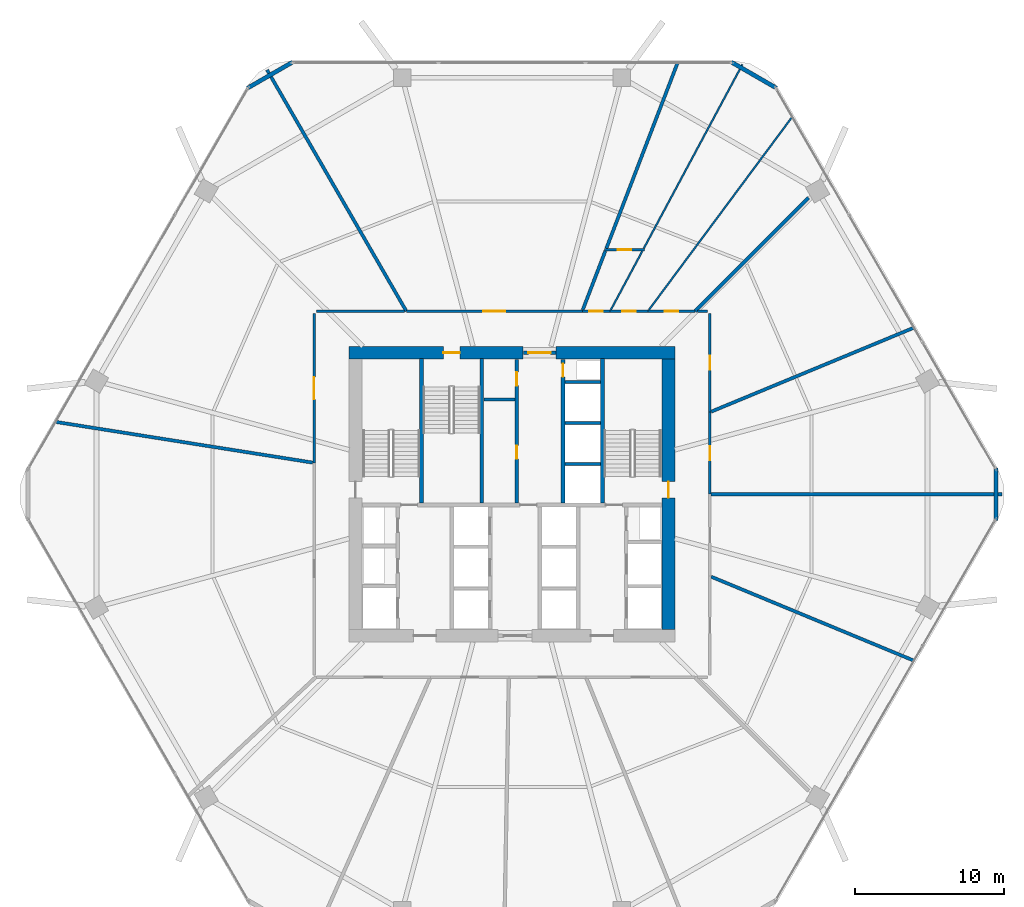
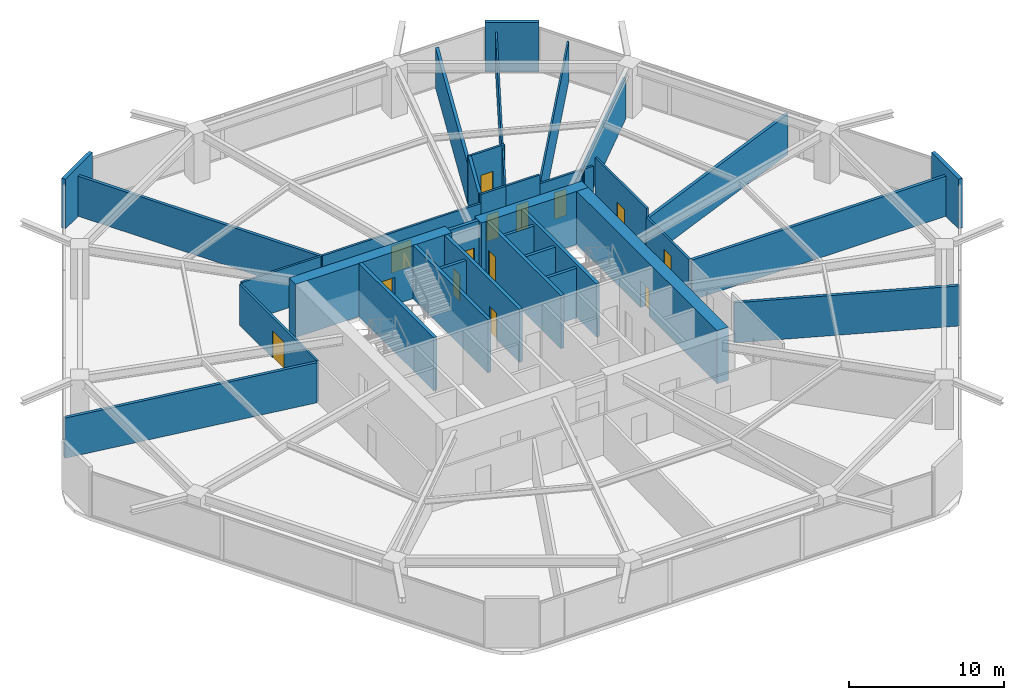
# One storey, part 23 of 25: 37 walls, 14 doors, 14 openings.
"""IFC4 building model written with IfcOpenShell, lengths in metres."""

from ifc_helpers import new_model, si_unit, direction, frame, frame_2d, origin, place, context, subcontext, project, spatial, rectangle, extrude, material, layer, layer_set, type_object, element, fill, save


model = new_model("IFC4")

# Units and contexts
model_context = context("Model", 3, precision=1e-05, world=origin(), true_north=direction((0.0, 1.0)))
body_context = subcontext(model_context, "Body", "Model", "MODEL_VIEW")
ifc_project = project(units=[si_unit("LENGTHUNIT", "METRE"), si_unit("AREAUNIT", "SQUARE_METRE"), si_unit("VOLUMEUNIT", "CUBIC_METRE"), si_unit("PLANEANGLEUNIT", "RADIAN"), si_unit("MASSUNIT", "GRAM", prefix="KILO")], contexts=[model_context])

# Site, building, storey
site_placement = place(None, origin())
site = spatial("IfcSite", under=ifc_project, at=site_placement, CompositionType="ELEMENT")
building_placement = place(site_placement, origin())
building = spatial("IfcBuilding", under=site, at=building_placement, Name="Zuhravey Tower", CompositionType="ELEMENT")
storey_placement = place(building_placement, frame((0.0, 0.0, 70.800048828125)))
storey = spatial("IfcBuildingStorey", under=building, at=storey_placement, Name="L17", CompositionType="ELEMENT", Elevation=70.800048828125)

# Wall
ifc_material_1 = material(Name="Concrete C60/75", Category="concrete")
ifc_layer_1 = layer(ifc_material_1, 0.85009765625)
ifc_layer_set_1 = layer_set([ifc_layer_1], Name="Concrete C60/75")
wall_type_1 = type_object("IfcWallType", Name="Core Shear Wall 850", PredefinedType="SHEAR", material=ifc_layer_set_1)
wall_1_placement = place(storey_placement, frame((46.925048828125, 41.5, 0.0), z_axis=(0.0, 0.0, 1.0), x_axis=(-1.0, 0.0, 0.0)))
element("IfcWall", 1, at=wall_1_placement, inside=storey, type_object=wall_type_1, Name="L17 North-East Core Shear Wall CW85", PredefinedType="SHEAR", context=body_context, shape_type="SweptSolid", body=[
    extrude(rectangle(XDim=7.97509765625, YDim=0.85009765625, at=frame_2d((3.987548828125, 0.0))), origin(), (0.0, 0.0, 1.0), 4.199951171875),
])

# Wall, opening, door
wall_2_placement = place(storey_placement, frame((36.75, 41.5, 0.0), z_axis=(0.0, 0.0, 1.0), x_axis=(-1.0, 0.0, 0.0)))
wall_2 = element("IfcWall", 2, at=wall_2_placement, inside=storey, type_object=wall_type_1, Name="L17 North-West Core Shear Wall CW85", PredefinedType="SHEAR", context=body_context, shape_type="SweptSolid", body=[
    extrude(rectangle(XDim=11.675048828125, YDim=0.85009765625, at=frame_2d((5.83740234375, 0.0))), origin(), (0.0, 0.0, 1.0), 4.199951171875),
])
opening_1_placement = place(wall_2_placement, frame((4.25, 0.0, 0.0)))
opening_1 = element("IfcOpeningElement", 3, at=opening_1_placement, cuts=wall_2, Name="Opening STD1", PredefinedType="OPENING", context=body_context, shape_type="SweptSolid", body=[
    extrude(rectangle(XDim=1.10009765625, YDim=2.14990234375, at=frame_2d((0.550048828125, 1.074951171875))), frame((0.0, 0.43701171875, 0.0), z_axis=(0.0, -1.0, 0.0), x_axis=(1.0, 0.0, 0.0)), (0.0, 0.0, 1.0), 0.8740234375),
])
ifc_material_2 = material(Name="Galvanised fire-rated steel leaf", Category="steel")
door_type_1 = type_object("IfcDoorType", Name="Protected Stair Fire Door 1100x2150", OperationType="NOTDEFINED", PredefinedType="USERDEFINED", material=ifc_material_2)
door_1_placement = place(opening_1_placement, origin())
door_1 = element("IfcDoor", 4, at=door_1_placement, inside=storey, type_object=door_type_1, Name="L17 Stair ST3 Door", ObjectType="EXITDOOR", OperationType="SINGLE_SWING_LEFT", OverallHeight=2.14990234375, OverallWidth=1.10009765625, PredefinedType="USERDEFINED", context=body_context, shape_type="SweptSolid", body=[
    extrude(rectangle(XDim=1.10009765625, YDim=2.14990234375, at=frame_2d((0.550048828125, 1.074951171875))), frame((0.0, 0.02490234375, 0.0), z_axis=(0.0, -1.0, 0.0), x_axis=(1.0, 0.0, 0.0)), (0.0, 0.0, 1.0), 0.050048828125),
])
fill(opening_1, door_1)

wall_3_placement = place(storey_placement, frame((46.5, 22.925048828125, 0.0), z_axis=(0.0, 0.0, 1.0), x_axis=(0.0, 1.0, 0.0)))
wall_3 = element("IfcWall", 5, at=wall_3_placement, inside=storey, type_object=wall_type_1, Name="L17 East Core Shear Wall CW85", PredefinedType="SHEAR", context=body_context, shape_type="SweptSolid", body=[
    extrude(rectangle(XDim=18.14990234375, YDim=0.85009765625, at=frame_2d((9.074951171875, 0.0))), origin(), (0.0, 0.0, 1.0), 4.199951171875),
])
opening_2_placement = place(wall_3_placement, frame((8.824951171875, 0.0, 0.0)))
opening_2 = element("IfcOpeningElement", 6, at=opening_2_placement, cuts=wall_3, Name="Opening STD1", PredefinedType="OPENING", context=body_context, shape_type="SweptSolid", body=[
    extrude(rectangle(XDim=1.10009765625, YDim=2.14990234375, at=frame_2d((0.550048828125, 1.074951171875))), frame((0.0, 0.43701171875, 0.0), z_axis=(0.0, -1.0, 0.0), x_axis=(1.0, 0.0, 0.0)), (0.0, 0.0, 1.0), 0.8740234375),
])
door_2_placement = place(opening_2_placement, origin())
door_2 = element("IfcDoor", 7, at=door_2_placement, inside=storey, type_object=door_type_1, Name="L17 Stair ST2 Door", ObjectType="EXITDOOR", OperationType="SINGLE_SWING_RIGHT", OverallHeight=2.14990234375, OverallWidth=1.10009765625, PredefinedType="USERDEFINED", context=body_context, shape_type="SweptSolid", body=[
    extrude(rectangle(XDim=1.10009765625, YDim=2.14990234375, at=frame_2d((0.550048828125, 1.074951171875))), frame((0.0, 0.02490234375, 0.0), z_axis=(0.0, -1.0, 0.0), x_axis=(1.0, 0.0, 0.0)), (0.0, 0.0, 1.0), 0.050048828125),
])
fill(opening_2, door_2)

ifc_material_3 = material(Name="Gypsum fire-rated stud partition")
ifc_layer_2 = layer(ifc_material_3, 0.159912109375)
ifc_layer_set_2 = layer_set([ifc_layer_2], Name="Gypsum fire-rated stud partition")
wall_type_2 = type_object("IfcWallType", Name="Corridor Fire Partition 160", PredefinedType="PARTITIONING", material=ifc_layer_set_2)
wall_4_placement = place(storey_placement, frame((48.284912109375, 44.284912109375, 0.0), z_axis=(0.0, 0.0, 1.0), x_axis=(-1.0, 0.0, 0.0)))
wall_4 = element("IfcWall", 8, at=wall_4_placement, inside=storey, type_object=wall_type_2, Name="L17 IW16 Partition 019", PredefinedType="PARTITIONING", context=body_context, shape_type="SweptSolid", body=[
    extrude(rectangle(XDim=3.161376953125, YDim=0.159912109375, at=frame_2d((1.58056640625, 0.0))), origin(), (0.0, 0.0, 1.0), 3.219970703125),
])
opening_3_placement = place(wall_4_placement, frame((1.130615234375, 0.0, 0.0)))
opening_3 = element("IfcOpeningElement", 9, at=opening_3_placement, cuts=wall_4, Name="Opening RSD1", PredefinedType="OPENING", context=body_context, shape_type="SweptSolid", body=[
    extrude(rectangle(XDim=0.89990234375, YDim=2.10009765625, at=frame_2d((0.449951171875, 1.050048828125))), frame((0.0, 0.092041015625, 0.0), z_axis=(0.0, -1.0, 0.0), x_axis=(1.0, 0.0, 0.0)), (0.0, 0.0, 1.0), 0.183837890625),
])
ifc_material_4 = material(Name="Galvanised fire-rated steel access leaf", Category="steel")
door_type_2 = type_object("IfcDoorType", Name="Riser & Shaft Access Fire Door 900x2100", OperationType="NOTDEFINED", PredefinedType="DOOR", material=ifc_material_4)
door_3_placement = place(opening_3_placement, frame((0.89990234375, 0.0, 0.0), z_axis=(0.0, 0.0, 1.0), x_axis=(-1.0, 0.0, 0.0)))
door_3 = element("IfcDoor", 10, at=door_3_placement, inside=storey, type_object=door_type_2, Name="L17 Door 019.1", OperationType="SINGLE_SWING_LEFT", OverallHeight=2.10009765625, OverallWidth=0.89990234375, PredefinedType="DOOR", context=body_context, shape_type="SweptSolid", body=[
    extrude(rectangle(XDim=0.89990234375, YDim=2.10009765625, at=frame_2d((0.449951171875, 1.050048828125))), frame((0.0, 0.02490234375, 0.0), z_axis=(0.0, -1.0, 0.0), x_axis=(1.0, 0.0, 0.0)), (0.0, 0.0, 1.0), 0.050048828125),
])
fill(opening_3, door_3)

wall_5_placement = place(storey_placement, frame((45.12353515625, 44.284912109375, 0.0), z_axis=(0.0, 0.0, 1.0), x_axis=(-1.0, 0.0, 0.0)))
wall_5 = element("IfcWall", 11, at=wall_5_placement, inside=storey, type_object=wall_type_2, Name="L17 IW16 Partition 020", PredefinedType="PARTITIONING", context=body_context, shape_type="SweptSolid", body=[
    extrude(rectangle(XDim=2.536376953125, YDim=0.159912109375, at=frame_2d((1.26806640625, 0.0))), origin(), (0.0, 0.0, 1.0), 3.919921875),
])
opening_4_placement = place(wall_5_placement, frame((0.818115234375, 0.0, 0.0)))
opening_4 = element("IfcOpeningElement", 12, at=opening_4_placement, cuts=wall_5, Name="Opening RSD1", PredefinedType="OPENING", context=body_context, shape_type="SweptSolid", body=[
    extrude(rectangle(XDim=0.89990234375, YDim=2.10009765625, at=frame_2d((0.449951171875, 1.050048828125))), frame((0.0, 0.092041015625, 0.0), z_axis=(0.0, -1.0, 0.0), x_axis=(1.0, 0.0, 0.0)), (0.0, 0.0, 1.0), 0.183837890625),
])
door_4_placement = place(opening_4_placement, frame((0.89990234375, 0.0, 0.0), z_axis=(0.0, 0.0, 1.0), x_axis=(-1.0, 0.0, 0.0)))
door_4 = element("IfcDoor", 13, at=door_4_placement, inside=storey, type_object=door_type_2, Name="L17 Door 020.1", OperationType="SINGLE_SWING_RIGHT", OverallHeight=2.10009765625, OverallWidth=0.89990234375, PredefinedType="DOOR", context=body_context, shape_type="SweptSolid", body=[
    extrude(rectangle(XDim=0.89990234375, YDim=2.10009765625, at=frame_2d((0.449951171875, 1.050048828125))), frame((0.0, 0.02490234375, 0.0), z_axis=(0.0, -1.0, 0.0), x_axis=(1.0, 0.0, 0.0)), (0.0, 0.0, 1.0), 0.050048828125),
])
fill(opening_4, door_4)

wall_6_placement = place(storey_placement, frame((42.211669921875, 48.405029296875, 0.0), z_axis=(0.0, 0.0, 1.0), x_axis=(1.0, 0.0, 0.0)))
wall_6 = element("IfcWall", 14, at=wall_6_placement, inside=storey, type_object=wall_type_2, Name="L17 IW16 Partition 021", PredefinedType="PARTITIONING", context=body_context, shape_type="SweptSolid", body=[
    extrude(rectangle(XDim=2.675537109375, YDim=0.159912109375, at=frame_2d((1.337890625, 0.0))), origin(), (0.0, 0.0, 1.0), 3.919921875),
])
opening_5_placement = place(wall_6_placement, frame((0.8876953125, 0.0, 0.0)))
opening_5 = element("IfcOpeningElement", 15, at=opening_5_placement, cuts=wall_6, Name="Opening RSD1", PredefinedType="OPENING", context=body_context, shape_type="SweptSolid", body=[
    extrude(rectangle(XDim=0.89990234375, YDim=2.10009765625, at=frame_2d((0.449951171875, 1.050048828125))), frame((0.0, 0.092041015625, 0.0), z_axis=(0.0, -1.0, 0.0), x_axis=(1.0, 0.0, 0.0)), (0.0, 0.0, 1.0), 0.183837890625),
])
door_5_placement = place(opening_5_placement, origin())
door_5 = element("IfcDoor", 16, at=door_5_placement, inside=storey, type_object=door_type_2, Name="L17 Door 021.1", OperationType="SINGLE_SWING_LEFT", OverallHeight=2.10009765625, OverallWidth=0.89990234375, PredefinedType="DOOR", context=body_context, shape_type="SweptSolid", body=[
    extrude(rectangle(XDim=0.89990234375, YDim=2.10009765625, at=frame_2d((0.449951171875, 1.050048828125))), frame((0.0, 0.02490234375, 0.0), z_axis=(0.0, -1.0, 0.0), x_axis=(1.0, 0.0, 0.0)), (0.0, 0.0, 1.0), 0.050048828125),
])
fill(opening_5, door_5)

wall_7_placement = place(storey_placement, frame((42.587158203125, 44.284912109375, 0.0), z_axis=(0.0, 0.0, 1.0), x_axis=(-1.0, 0.0, 0.0)))
wall_7 = element("IfcWall", 17, at=wall_7_placement, inside=storey, type_object=wall_type_2, Name="L17 IW16 Partition 022", PredefinedType="PARTITIONING", context=body_context, shape_type="SweptSolid", body=[
    extrude(rectangle(XDim=1.871337890625, YDim=0.159912109375, at=frame_2d((0.935546875, 0.0))), origin(), (0.0, 0.0, 1.0), 3.919921875),
])
opening_6_placement = place(wall_7_placement, frame((0.485595703125, 0.0, 0.0)))
opening_6 = element("IfcOpeningElement", 18, at=opening_6_placement, cuts=wall_7, Name="Opening RSD1", PredefinedType="OPENING", context=body_context, shape_type="SweptSolid", body=[
    extrude(rectangle(XDim=0.89990234375, YDim=2.10009765625, at=frame_2d((0.449951171875, 1.050048828125))), frame((0.0, 0.092041015625, 0.0), z_axis=(0.0, -1.0, 0.0), x_axis=(1.0, 0.0, 0.0)), (0.0, 0.0, 1.0), 0.183837890625),
])
door_6_placement = place(opening_6_placement, frame((0.89990234375, 0.0, 0.0), z_axis=(0.0, 0.0, 1.0), x_axis=(-1.0, 0.0, 0.0)))
door_6 = element("IfcDoor", 19, at=door_6_placement, inside=storey, type_object=door_type_2, Name="L17 Door 022.1", OperationType="SINGLE_SWING_RIGHT", OverallHeight=2.10009765625, OverallWidth=0.89990234375, PredefinedType="DOOR", context=body_context, shape_type="SweptSolid", body=[
    extrude(rectangle(XDim=0.89990234375, YDim=2.10009765625, at=frame_2d((0.449951171875, 1.050048828125))), frame((0.0, 0.02490234375, 0.0), z_axis=(0.0, -1.0, 0.0), x_axis=(1.0, 0.0, 0.0)), (0.0, 0.0, 1.0), 0.050048828125),
])
fill(opening_6, door_6)

wall_8_placement = place(storey_placement, frame((40.7158203125, 44.284912109375, 0.0), z_axis=(0.0, 0.0, 1.0), x_axis=(-1.0, 0.0, 0.0)))
wall_8 = element("IfcWall", 20, at=wall_8_placement, inside=storey, type_object=wall_type_2, Name="L17 IW16 Partition 023", PredefinedType="PARTITIONING", context=body_context, shape_type="SweptSolid", body=[
    extrude(rectangle(XDim=11.80859375, YDim=0.159912109375, at=frame_2d((5.904296875, 0.0))), origin(), (0.0, 0.0, 1.0), 3.219970703125),
])
opening_7_placement = place(wall_8_placement, frame((5.154296875, 0.0, 0.0)))
opening_7 = element("IfcOpeningElement", 21, at=opening_7_placement, cuts=wall_8, Name="Opening FFD1", PredefinedType="OPENING", context=body_context, shape_type="SweptSolid", body=[
    extrude(rectangle(XDim=1.5, YDim=2.14990234375, at=frame_2d((0.75, 1.074951171875))), frame((0.0, 0.092041015625, 0.0), z_axis=(0.0, -1.0, 0.0), x_axis=(1.0, 0.0, 0.0)), (0.0, 0.0, 1.0), 0.183837890625),
])
door_type_3 = type_object("IfcDoorType", Name="Firefighting Lobby Double Door 1500x2150", OperationType="DOUBLE_DOOR_SINGLE_SWING", PredefinedType="DOOR", material=ifc_material_2)
door_7_placement = place(opening_7_placement, frame((1.5, 0.0, 0.0), z_axis=(0.0, 0.0, 1.0), x_axis=(-1.0, 0.0, 0.0)))
door_7 = element("IfcDoor", 22, at=door_7_placement, inside=storey, type_object=door_type_3, Name="L17 Door 023.1", OperationType="DOUBLE_DOOR_SINGLE_SWING", OverallHeight=2.14990234375, OverallWidth=1.5, PredefinedType="DOOR", context=body_context, shape_type="SweptSolid", body=[
    extrude(rectangle(XDim=1.5, YDim=2.14990234375, at=frame_2d((0.75, 1.074951171875))), frame((0.0, 0.02490234375, 0.0), z_axis=(0.0, -1.0, 0.0), x_axis=(1.0, 0.0, 0.0)), (0.0, 0.0, 1.0), 0.050048828125),
])
fill(opening_7, door_7)

wall_9_placement = place(storey_placement, frame((22.715087890625, 44.125, 0.0), z_axis=(0.0, 0.0, 1.0), x_axis=(0.0, -1.0, 0.0)))
wall_9 = element("IfcWall", 23, at=wall_9_placement, inside=storey, type_object=wall_type_2, Name="L17 IW16 Partition 024", PredefinedType="PARTITIONING", context=body_context, shape_type="SweptSolid", body=[
    extrude(rectangle(XDim=10.02099609375, YDim=0.159912109375, at=frame_2d((5.010498046875, 0.0))), origin(), (0.0, 0.0, 1.0), 3.219970703125),
])
opening_8_placement = place(wall_9_placement, frame((4.260498046875, 0.0, 0.0)))
opening_8 = element("IfcOpeningElement", 24, at=opening_8_placement, cuts=wall_9, Name="Opening FFD1", PredefinedType="OPENING", context=body_context, shape_type="SweptSolid", body=[
    extrude(rectangle(XDim=1.5, YDim=2.14990234375, at=frame_2d((0.75, 1.074951171875))), frame((0.0, 0.092041015625, 0.0), z_axis=(0.0, -1.0, 0.0), x_axis=(1.0, 0.0, 0.0)), (0.0, 0.0, 1.0), 0.183837890625),
])
door_8_placement = place(opening_8_placement, frame((1.5, 0.0, 0.0), z_axis=(0.0, 0.0, 1.0), x_axis=(-1.0, 0.0, 0.0)))
door_8 = element("IfcDoor", 25, at=door_8_placement, inside=storey, type_object=door_type_3, Name="L17 Door 024.1", OperationType="DOUBLE_DOOR_SINGLE_SWING", OverallHeight=2.14990234375, OverallWidth=1.5, PredefinedType="DOOR", context=body_context, shape_type="SweptSolid", body=[
    extrude(rectangle(XDim=1.5, YDim=2.14990234375, at=frame_2d((0.75, 1.074951171875))), frame((0.0, 0.02490234375, 0.0), z_axis=(0.0, -1.0, 0.0), x_axis=(1.0, 0.0, 0.0)), (0.0, 0.0, 1.0), 0.050048828125),
])
fill(opening_8, door_8)

wall_10_placement = place(storey_placement, frame((49.284912109375, 32.0, 0.0), z_axis=(0.0, 0.0, 1.0), x_axis=(0.0, 1.0, 0.0)))
wall_10 = element("IfcWall", 26, at=wall_10_placement, inside=storey, type_object=wall_type_2, Name="L17 IW16 Partition 032", PredefinedType="PARTITIONING", context=body_context, shape_type="SweptSolid", body=[
    extrude(rectangle(XDim=5.502685546875, YDim=0.159912109375, at=frame_2d((2.75146484375, 0.0))), origin(), (0.0, 0.0, 1.0), 3.219970703125),
])
opening_9_placement = place(wall_10_placement, frame((2.2763671875, 0.0, 0.0)))
opening_9 = element("IfcOpeningElement", 27, at=opening_9_placement, cuts=wall_10, Name="Opening IND1", PredefinedType="OPENING", context=body_context, shape_type="SweptSolid", body=[
    extrude(rectangle(XDim=0.949951171875, YDim=2.10009765625, at=frame_2d((0.47509765625, 1.050048828125))), frame((0.0, 0.092041015625, 0.0), z_axis=(0.0, -1.0, 0.0), x_axis=(1.0, 0.0, 0.0)), (0.0, 0.0, 1.0), 0.183837890625),
])
ifc_material_5 = material(Name="Painted engineered timber leaf", Category="wood")
door_type_4 = type_object("IfcDoorType", Name="Internal Room & Bedroom Door 950x2100", OperationType="NOTDEFINED", PredefinedType="DOOR", material=ifc_material_5)
door_9_placement = place(opening_9_placement, frame((0.949951171875, 0.0, 0.0), z_axis=(0.0, 0.0, 1.0), x_axis=(-1.0, 0.0, 0.0)))
door_9 = element("IfcDoor", 28, at=door_9_placement, inside=storey, type_object=door_type_4, Name="L17 Door 032.1", OperationType="SINGLE_SWING_RIGHT", OverallHeight=2.10009765625, OverallWidth=0.949951171875, PredefinedType="DOOR", context=body_context, shape_type="SweptSolid", body=[
    extrude(rectangle(XDim=0.949951171875, YDim=2.10009765625, at=frame_2d((0.47509765625, 1.050048828125))), frame((0.0, 0.02490234375, 0.0), z_axis=(0.0, -1.0, 0.0), x_axis=(1.0, 0.0, 0.0)), (0.0, 0.0, 1.0), 0.050048828125),
])
fill(opening_9, door_9)

wall_11_placement = place(storey_placement, frame((49.284912109375, 37.502685546875, 0.0), z_axis=(0.0, 0.0, 1.0), x_axis=(0.0, 1.0, 0.0)))
wall_11 = element("IfcWall", 29, at=wall_11_placement, inside=storey, type_object=wall_type_2, Name="L17 IW16 Partition 033", PredefinedType="PARTITIONING", context=body_context, shape_type="SweptSolid", body=[
    extrude(rectangle(XDim=6.622314453125, YDim=0.159912109375, at=frame_2d((3.31103515625, 0.0))), origin(), (0.0, 0.0, 1.0), 3.919921875),
])
opening_10_placement = place(wall_11_placement, frame((2.836181640625, 0.0, 0.0)))
opening_10 = element("IfcOpeningElement", 30, at=opening_10_placement, cuts=wall_11, Name="Opening IND1", PredefinedType="OPENING", context=body_context, shape_type="SweptSolid", body=[
    extrude(rectangle(XDim=0.949951171875, YDim=2.10009765625, at=frame_2d((0.47509765625, 1.050048828125))), frame((0.0, 0.092041015625, 0.0), z_axis=(0.0, -1.0, 0.0), x_axis=(1.0, 0.0, 0.0)), (0.0, 0.0, 1.0), 0.183837890625),
])
door_10_placement = place(opening_10_placement, frame((0.949951171875, 0.0, 0.0), z_axis=(0.0, 0.0, 1.0), x_axis=(-1.0, 0.0, 0.0)))
door_10 = element("IfcDoor", 31, at=door_10_placement, inside=storey, type_object=door_type_4, Name="L17 Door 033.1", OperationType="SINGLE_SWING_LEFT", OverallHeight=2.10009765625, OverallWidth=0.949951171875, PredefinedType="DOOR", context=body_context, shape_type="SweptSolid", body=[
    extrude(rectangle(XDim=0.949951171875, YDim=2.10009765625, at=frame_2d((0.47509765625, 1.050048828125))), frame((0.0, 0.02490234375, 0.0), z_axis=(0.0, -1.0, 0.0), x_axis=(1.0, 0.0, 0.0)), (0.0, 0.0, 1.0), 0.050048828125),
])
fill(opening_10, door_10)

# Walls
wall_12_placement = place(storey_placement, frame((28.77099609375, 44.284912109375, 0.0), z_axis=(0.0, 0.0, 1.0), x_axis=(-1.0, 0.0, 0.0)))
element("IfcWall", 32, at=wall_12_placement, inside=storey, type_object=wall_type_2, Name="L17 IW16 Partition 049", PredefinedType="PARTITIONING", context=body_context, shape_type="SweptSolid", body=[
    extrude(rectangle(XDim=5.89599609375, YDim=0.159912109375, at=frame_2d((2.947998046875, 0.0))), origin(), (0.0, 0.0, 1.0), 3.219970703125),
])
wall_13_placement = place(storey_placement, frame((49.125, 44.284912109375, 0.0), z_axis=(0.0, 0.0, 1.0), x_axis=(-1.0, 0.0, 0.0)))
element("IfcWall", 33, at=wall_13_placement, inside=storey, type_object=wall_type_2, Name="L17 IW16 Partition 060", PredefinedType="PARTITIONING", context=body_context, shape_type="SweptSolid", body=[
    extrude(rectangle(XDim=0.673095703125, YDim=0.159912109375, at=frame_2d((0.33642578125, 0.0))), origin(), (0.0, 0.0, 1.0), 3.219970703125),
])
ifc_material_6 = material(Name="Precast concrete C40/50", Category="concrete")
ifc_layer_3 = layer(ifc_material_6, 0.280029296875)
ifc_layer_set_3 = layer_set([ifc_layer_3], Name="Precast concrete C40/50")
wall_type_3 = type_object("IfcWallType", Name="Crown Architectural Wall 280", PredefinedType="SOLIDWALL", material=ifc_layer_set_3)
for number, where, z_axis, x_axis, name in (
    (34, (18.23876953125, 59.24853515625, 0.0), (0.0, 0.0, 1.0), (0.866007452331, 0.500031091541, 0.0), "L17 Rounded Corner Closure Wall EW28-08"),
    (35, (50.71728515625, 61.006103515625, 0.0), (0.0, 0.0, 1.0), (0.866007452331, -0.500031091541, 0.0), "L17 Rounded Corner Closure Wall EW28-10"),
):
    element("IfcWall", number, at=place(storey_placement, frame(where, z_axis=z_axis, x_axis=x_axis)), inside=storey, type_object=wall_type_3, Name=name, PredefinedType="SOLIDWALL", context=body_context, shape_type="SweptSolid", body=[
        extrude(rectangle(XDim=3.514892578125, YDim=0.280029296875, at=frame_2d((1.75732421875, 0.0))), origin(), (0.0, 0.0, 1.0), 3.919921875),
    ])
wall_14_placement = place(storey_placement, frame((68.478515625, 33.757568359375, 0.0), z_axis=(0.0, 0.0, 1.0), x_axis=(0.0, -1.0, 0.0)))
element("IfcWall", 36, at=wall_14_placement, inside=storey, type_object=wall_type_3, Name="L17 Rounded Corner Closure Wall EW28-12", PredefinedType="SOLIDWALL", context=body_context, shape_type="SweptSolid", body=[
    extrude(rectangle(XDim=3.51513671875, YDim=0.280029296875, at=frame_2d((1.757568359375, 0.0))), origin(), (0.0, 0.0, 1.0), 3.919921875),
])

# Wall, opening, door
ifc_material_7 = material(Name="Concrete C50/60", Category="concrete")
ifc_layer_4 = layer(ifc_material_7, 0.25)
ifc_layer_set_4 = layer_set([ifc_layer_4], Name="Concrete C50/60")
wall_type_4 = type_object("IfcWallType", Name="Firefighting Shaft & Stair Wall 250", PredefinedType="SOLIDWALL", material=ifc_layer_set_4)
wall_15_placement = place(storey_placement, frame((36.760009765625, 41.5, 0.0), z_axis=(0.0, 0.0, 1.0), x_axis=(1.0, 0.0, 0.0)))
wall_15 = element("IfcWall", 37, at=wall_15_placement, inside=storey, type_object=wall_type_4, Name="L17 FW25 Shaft Wall 002", PredefinedType="SOLIDWALL", context=body_context, shape_type="SweptSolid", body=[
    extrude(rectangle(XDim=2.179931640625, YDim=0.25, at=frame_2d((1.08984375, 0.0))), origin(), (0.0, 0.0, 1.0), 4.199951171875),
])
opening_11_placement = place(wall_15_placement, frame((0.340087890625, 0.0, 0.0)))
opening_11 = element("IfcOpeningElement", 38, at=opening_11_placement, cuts=wall_15, Name="Opening FFD1", PredefinedType="OPENING", context=body_context, shape_type="SweptSolid", body=[
    extrude(rectangle(XDim=1.5, YDim=2.14990234375, at=frame_2d((0.75, 1.074951171875))), frame((0.0, 0.136962890625, 0.0), z_axis=(0.0, -1.0, 0.0), x_axis=(1.0, 0.0, 0.0)), (0.0, 0.0, 1.0), 0.27392578125),
])
door_11_placement = place(opening_11_placement, origin())
door_11 = element("IfcDoor", 39, at=door_11_placement, inside=storey, type_object=door_type_3, Name="L17 North Lift Lobby Exit Door", OperationType="DOUBLE_DOOR_SINGLE_SWING", OverallHeight=2.14990234375, OverallWidth=1.5, PredefinedType="DOOR", context=body_context, shape_type="SweptSolid", body=[
    extrude(rectangle(XDim=1.5, YDim=2.14990234375, at=frame_2d((0.75, 1.074951171875))), frame((0.0, 0.02490234375, 0.0), z_axis=(0.0, -1.0, 0.0), x_axis=(1.0, 0.0, 0.0)), (0.0, 0.0, 1.0), 0.050048828125),
])
fill(opening_11, door_11)

# Walls
for number, where, z_axis, x_axis, name in (
    (40, (29.925048828125, 31.39990234375, 0.0), (0.0, 0.0, 1.0), (0.0, 1.0, 0.0), "L17 FW25 Shaft Wall 004"),
    (41, (33.97509765625, 31.39990234375, 0.0), (0.0, 0.0, 1.0), (0.0, 1.0, 0.0), "L17 FW25 Shaft Wall 005"),
    (42, (42.074951171875, 31.39990234375, 0.0), (0.0, 0.0, 1.0), (0.0, 1.0, 0.0), "L17 FW25 Shaft Wall 006"),
):
    element("IfcWall", number, at=place(storey_placement, frame(where, z_axis=z_axis, x_axis=x_axis)), inside=storey, type_object=wall_type_4, Name=name, PredefinedType="SOLIDWALL", context=body_context, shape_type="SweptSolid", body=[
        extrude(rectangle(XDim=9.7001953125, YDim=0.25, at=frame_2d((4.85009765625, 0.0))), origin(), (0.0, 0.0, 1.0), 4.199951171875),
    ])

# Wall, openings, doors
wall_16_placement = place(storey_placement, frame((36.324951171875, 31.39990234375, 0.0), z_axis=(0.0, 0.0, 1.0), x_axis=(0.0, 1.0, 0.0)))
wall_16 = element("IfcWall", 43, at=wall_16_placement, inside=storey, type_object=wall_type_4, Name="L17 FW25 Shaft Wall 007", PredefinedType="SOLIDWALL", context=body_context, shape_type="SweptSolid", body=[
    extrude(rectangle(XDim=9.650146484375, YDim=0.25, at=frame_2d((4.8251953125, 0.0))), origin(), (0.0, 0.0, 1.0), 4.199951171875),
])
opening_12_placement = place(wall_16_placement, frame((2.965087890625, 0.0, 0.0)))
opening_12 = element("IfcOpeningElement", 44, at=opening_12_placement, cuts=wall_16, Name="Opening RSD1", PredefinedType="OPENING", context=body_context, shape_type="SweptSolid", body=[
    extrude(rectangle(XDim=0.89990234375, YDim=2.10009765625, at=frame_2d((0.449951171875, 1.050048828125))), frame((0.0, 0.136962890625, 0.0), z_axis=(0.0, -1.0, 0.0), x_axis=(1.0, 0.0, 0.0)), (0.0, 0.0, 1.0), 0.27392578125),
])
opening_13_placement = place(wall_16_placement, frame((7.885009765625, 0.0, 0.0)))
opening_13 = element("IfcOpeningElement", 45, at=opening_13_placement, cuts=wall_16, Name="Opening RSD1", PredefinedType="OPENING", context=body_context, shape_type="SweptSolid", body=[
    extrude(rectangle(XDim=0.89990234375, YDim=2.10009765625, at=frame_2d((0.449951171875, 1.050048828125))), frame((0.0, 0.136962890625, 0.0), z_axis=(0.0, -1.0, 0.0), x_axis=(1.0, 0.0, 0.0)), (0.0, 0.0, 1.0), 0.27392578125),
])
door_12_placement = place(opening_12_placement, origin())
door_12 = element("IfcDoor", 46, at=door_12_placement, inside=storey, type_object=door_type_2, Name="L17 Equipment and Refuse Store Door", OperationType="SINGLE_SWING_LEFT", OverallHeight=2.10009765625, OverallWidth=0.89990234375, PredefinedType="DOOR", context=body_context, shape_type="SweptSolid", body=[
    extrude(rectangle(XDim=0.89990234375, YDim=2.10009765625, at=frame_2d((0.449951171875, 1.050048828125))), frame((0.0, 0.02490234375, 0.0), z_axis=(0.0, -1.0, 0.0), x_axis=(1.0, 0.0, 0.0)), (0.0, 0.0, 1.0), 0.050048828125),
])
fill(opening_12, door_12)
door_13_placement = place(opening_13_placement, origin())
door_13 = element("IfcDoor", 47, at=door_13_placement, inside=storey, type_object=door_type_2, Name="L17 BMS Control Room Door", OperationType="SINGLE_SWING_RIGHT", OverallHeight=2.10009765625, OverallWidth=0.89990234375, PredefinedType="DOOR", context=body_context, shape_type="SweptSolid", body=[
    extrude(rectangle(XDim=0.89990234375, YDim=2.10009765625, at=frame_2d((0.449951171875, 1.050048828125))), frame((0.0, 0.02490234375, 0.0), z_axis=(0.0, -1.0, 0.0), x_axis=(1.0, 0.0, 0.0)), (0.0, 0.0, 1.0), 0.050048828125),
])
fill(opening_13, door_13)

# Wall, opening, door
wall_17_placement = place(storey_placement, frame((39.425048828125, 31.39990234375, 0.0), z_axis=(0.0, 0.0, 1.0), x_axis=(0.0, 1.0, 0.0)))
wall_17 = element("IfcWall", 48, at=wall_17_placement, inside=storey, type_object=wall_type_4, Name="L17 FW25 Shaft Wall 008", PredefinedType="SOLIDWALL", context=body_context, shape_type="SweptSolid", body=[
    extrude(rectangle(XDim=9.650146484375, YDim=0.25, at=frame_2d((4.8251953125, 0.0))), origin(), (0.0, 0.0, 1.0), 4.199951171875),
])
opening_14_placement = place(wall_17_placement, frame((8.469970703125, 0.0, 0.0)))
opening_14 = element("IfcOpeningElement", 49, at=opening_14_placement, cuts=wall_17, Name="Opening RSD1", PredefinedType="OPENING", context=body_context, shape_type="SweptSolid", body=[
    extrude(rectangle(XDim=0.89990234375, YDim=2.10009765625, at=frame_2d((0.449951171875, 1.050048828125))), frame((0.0, 0.136962890625, 0.0), z_axis=(0.0, -1.0, 0.0), x_axis=(1.0, 0.0, 0.0)), (0.0, 0.0, 1.0), 0.27392578125),
])
door_14_placement = place(opening_14_placement, origin())
door_14 = element("IfcDoor", 50, at=door_14_placement, inside=storey, type_object=door_type_2, Name="L17 North Riser Door", OperationType="SINGLE_SWING_LEFT", OverallHeight=2.10009765625, OverallWidth=0.89990234375, PredefinedType="DOOR", context=body_context, shape_type="SweptSolid", body=[
    extrude(rectangle(XDim=0.89990234375, YDim=2.10009765625, at=frame_2d((0.449951171875, 1.050048828125))), frame((0.0, 0.02490234375, 0.0), z_axis=(0.0, -1.0, 0.0), x_axis=(1.0, 0.0, 0.0)), (0.0, 0.0, 1.0), 0.050048828125),
])
fill(opening_14, door_14)

# Walls
ifc_material_8 = material(Name="Gypsum acoustic stud assembly")
ifc_layer_5 = layer(ifc_material_8, 0.219970703125)
ifc_layer_set_5 = layer_set([ifc_layer_5], Name="Gypsum acoustic stud assembly")
wall_type_5 = type_object("IfcWallType", Name="School Acoustic Compartment Wall 220", PredefinedType="PARTITIONING", material=ifc_layer_set_5)
wall_18_placement = place(storey_placement, frame((34.10791015625, 38.35009765625, 0.0), z_axis=(0.0, 0.0, 1.0), x_axis=(1.0, 0.0, 0.0)))
element("IfcWall", 51, at=wall_18_placement, inside=storey, type_object=wall_type_5, Name="L17 IW22 Partition 034", PredefinedType="PARTITIONING", context=body_context, shape_type="SweptSolid", body=[
    extrude(rectangle(XDim=2.083984375, YDim=0.219970703125, at=frame_2d((1.0419921875, 0.0))), origin(), (0.0, 0.0, 1.0), 3.919921875),
])
for number, where, z_axis, x_axis, name in (
    (52, (39.55810546875, 34.02490234375, 0.0), (0.0, 0.0, 1.0), (1.0, 0.0, 0.0), "L17 IW22 Partition 035"),
    (53, (39.55810546875, 36.77490234375, 0.0), (0.0, 0.0, 1.0), (1.0, 0.0, 0.0), "L17 IW22 Partition 036"),
    (54, (39.55810546875, 39.52490234375, 0.0), (0.0, 0.0, 1.0), (1.0, 0.0, 0.0), "L17 IW22 Partition 037"),
):
    element("IfcWall", number, at=place(storey_placement, frame(where, z_axis=z_axis, x_axis=x_axis)), inside=storey, type_object=wall_type_5, Name=name, PredefinedType="PARTITIONING", context=body_context, shape_type="SweptSolid", body=[
        extrude(rectangle(XDim=2.3837890625, YDim=0.219970703125, at=frame_2d((1.19189453125, 0.0))), origin(), (0.0, 0.0, 1.0), 3.919921875),
    ])
wall_19_placement = place(storey_placement, frame((48.284912109375, 44.284912109375, 0.0), z_axis=(0.0, 0.0, 1.0), x_axis=(0.707106781187, 0.707106781187, 0.0)))
element("IfcWall", 55, at=wall_19_placement, inside=storey, type_object=wall_type_5, Name="L17 IW22 Partition 042", PredefinedType="PARTITIONING", context=body_context, shape_type="SweptSolid", body=[
    extrude(rectangle(XDim=10.767822265625, YDim=0.219970703125, at=frame_2d((5.3837890625, 0.0))), origin(), (0.0, 0.0, 1.0), 3.219970703125),
])
wall_20_placement = place(storey_placement, frame((40.74951171875, 44.373046875, 0.0), z_axis=(0.0, 0.0, 1.0), x_axis=(0.358370990804, 0.933579259062, 0.0)))
element("IfcWall", 56, at=wall_20_placement, inside=storey, type_object=wall_type_5, Name="L17 IW22 Partition 046", PredefinedType="PARTITIONING", context=body_context, shape_type="SweptSolid", body=[
    extrude(rectangle(XDim=4.224365234375, YDim=0.219970703125, at=frame_2d((2.1123046875, 0.0))), origin(), (0.0, 0.0, 1.0), 3.919921875),
])
wall_21_placement = place(storey_placement, frame((42.3310546875, 48.492919921875, 0.0), z_axis=(0.0, 0.0, 1.0), x_axis=(0.358372511013, 0.933578675501, 0.0)))
element("IfcWall", 57, at=wall_21_placement, inside=storey, type_object=wall_type_5, Name="L17 IW22 Partition 047", PredefinedType="PARTITIONING", context=body_context, shape_type="SweptSolid", body=[
    extrude(rectangle(XDim=13.3525390625, YDim=0.219970703125, at=frame_2d((6.67626953125, 0.0))), origin(), (0.0, 0.0, 1.0), 3.169921875),
])
wall_22_placement = place(storey_placement, frame((28.9072265625, 44.284912109375, 0.0), z_axis=(0.0, 0.0, 1.0), x_axis=(-0.499994105362, 0.866028807028, 0.0)))
element("IfcWall", 58, at=wall_22_placement, inside=storey, type_object=wall_type_5, Name="L17 IW22 Partition 048", PredefinedType="PARTITIONING", context=body_context, shape_type="SweptSolid", body=[
    extrude(rectangle(XDim=18.697021484375, YDim=0.219970703125, at=frame_2d((9.3486328125, 0.0))), origin(), (0.0, 0.0, 1.0), 3.169921875),
])
wall_23_placement = place(storey_placement, frame((22.626953125, 34.1181640625, 0.0), z_axis=(0.0, 0.0, 1.0), x_axis=(-0.987689809262, 0.156425191961, 0.0)))
element("IfcWall", 59, at=wall_23_placement, inside=storey, type_object=wall_type_5, Name="L17 IW22 Partition 050", PredefinedType="PARTITIONING", context=body_context, shape_type="SweptSolid", body=[
    extrude(rectangle(XDim=17.478759765625, YDim=0.219970703125, at=frame_2d((8.7392578125, 0.0))), origin(), (0.0, 0.0, 1.0), 3.169921875),
])
wall_24_placement = place(storey_placement, frame((49.373046875, 26.460693359375, 0.0), z_axis=(0.0, 0.0, 1.0), x_axis=(0.923882327997, -0.382676683396, 0.0)))
element("IfcWall", 60, at=wall_24_placement, inside=storey, type_object=wall_type_5, Name="L17 IW22 Partition 056", PredefinedType="PARTITIONING", context=body_context, shape_type="SweptSolid", body=[
    extrude(rectangle(XDim=14.733642578125, YDim=0.219970703125, at=frame_2d((7.36669921875, 0.0))), origin(), (0.0, 0.0, 1.0), 3.169921875),
])
wall_25_placement = place(storey_placement, frame((49.373046875, 32.0, 0.0), z_axis=(0.0, 0.0, 1.0), x_axis=(1.0, 0.0, 0.0)))
element("IfcWall", 61, at=wall_25_placement, inside=storey, type_object=wall_type_5, Name="L17 IW22 Partition 058", PredefinedType="PARTITIONING", context=body_context, shape_type="SweptSolid", body=[
    extrude(rectangle(XDim=19.50927734375, YDim=0.219970703125, at=frame_2d((9.754638671875, 0.0))), origin(), (0.0, 0.0, 1.0), 3.169921875),
])
wall_26_placement = place(storey_placement, frame((49.373046875, 37.539306640625, 0.0), z_axis=(0.0, 0.0, 1.0), x_axis=(0.923882327997, 0.382676683396, 0.0)))
element("IfcWall", 62, at=wall_26_placement, inside=storey, type_object=wall_type_5, Name="L17 IW22 Partition 059", PredefinedType="PARTITIONING", context=body_context, shape_type="SweptSolid", body=[
    extrude(rectangle(XDim=14.733642578125, YDim=0.219970703125, at=frame_2d((7.36669921875, 0.0))), origin(), (0.0, 0.0, 1.0), 3.169921875),
])
ifc_material_9 = material(Name="Gypsum metal-stud partition")
ifc_layer_6 = layer(ifc_material_9, 0.1201171875)
ifc_layer_set_6 = layer_set([ifc_layer_6], Name="Gypsum metal-stud partition")
wall_type_6 = type_object("IfcWallType", Name="Unit Internal Partition 120", PredefinedType="PARTITIONING", material=ifc_layer_set_6)
wall_27_placement = place(storey_placement, frame((45.18896484375, 44.373046875, 0.0), z_axis=(0.0, 0.0, 1.0), x_axis=(0.596225418148, 0.802817071788, 0.0)))
element("IfcWall", 63, at=wall_27_placement, inside=storey, type_object=wall_type_6, Name="L17 IW12 Partition 043", PredefinedType="PARTITIONING", context=body_context, shape_type="SweptSolid", body=[
    extrude(rectangle(XDim=16.1416015625, YDim=0.1201171875, at=frame_2d((8.07080078125, 0.0))), origin(), (0.0, 0.0, 1.0), 3.169921875),
])
wall_28_placement = place(storey_placement, frame((42.63427734375, 44.373046875, 0.0), z_axis=(0.0, 0.0, 1.0), x_axis=(0.472563527557, 0.881296608653, 0.0)))
element("IfcWall", 64, at=wall_28_placement, inside=storey, type_object=wall_type_6, Name="L17 IW12 Partition 044", PredefinedType="PARTITIONING", context=body_context, shape_type="SweptSolid", body=[
    extrude(rectangle(XDim=4.47509765625, YDim=0.1201171875, at=frame_2d((2.237548828125, 0.0))), origin(), (0.0, 0.0, 1.0), 3.919921875),
])
wall_29_placement = place(storey_placement, frame((44.843505859375, 48.492919921875, 0.0), z_axis=(0.0, 0.0, 1.0), x_axis=(0.472553457508, 0.881302008279, 0.0)))
element("IfcWall", 65, at=wall_29_placement, inside=storey, type_object=wall_type_6, Name="L17 IW12 Partition 045", PredefinedType="PARTITIONING", context=body_context, shape_type="SweptSolid", body=[
    extrude(rectangle(XDim=14.015869140625, YDim=0.1201171875, at=frame_2d((7.0078125, 0.0))), origin(), (0.0, 0.0, 1.0), 3.169921875),
])

save(model, "model.ifc")
